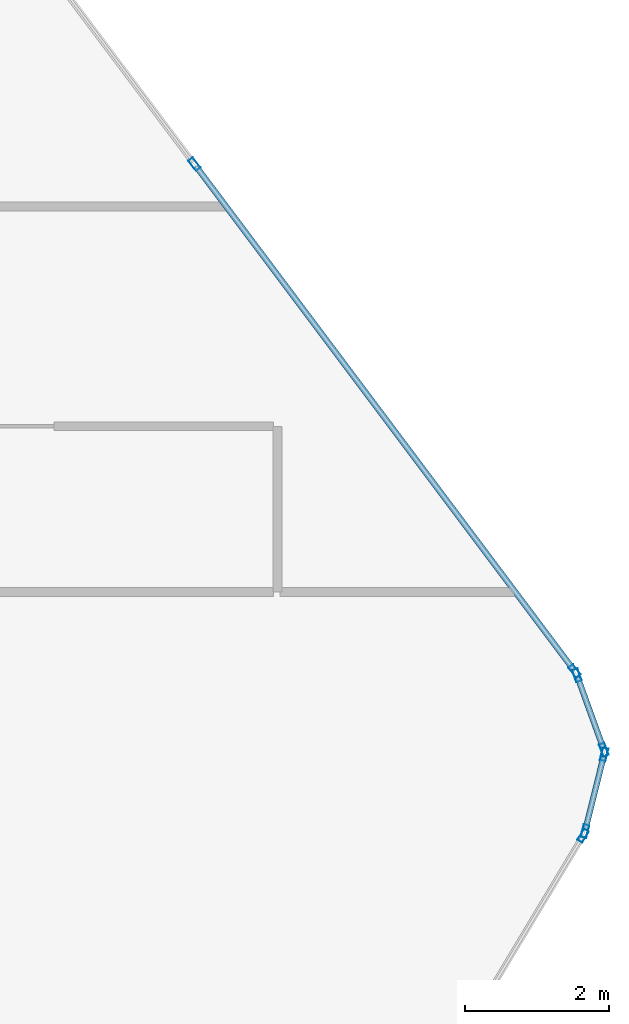
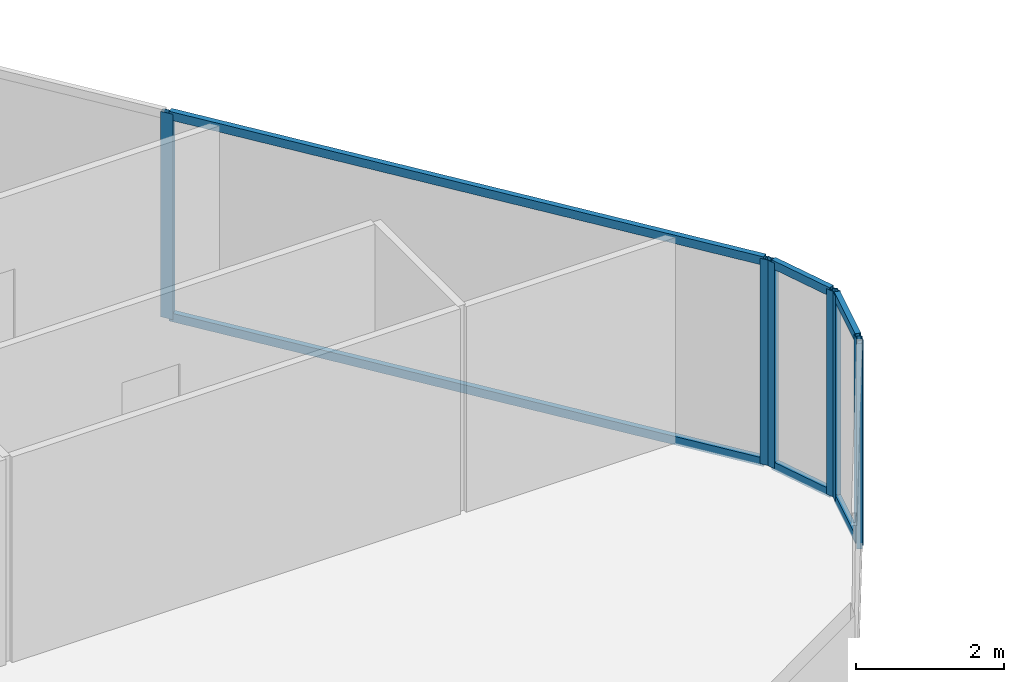
# One storey, part 19 of 31: 13 members, 4 elements without a shape of their own.
"""IFC4 building model written with IfcOpenShell, lengths in metres."""

import ifcopenshell
import ifcopenshell.guid

model = None  # the IFC model being written
_history = None  # IfcOwnerHistory: only IFC2X3 demands one
_inside = {}  # id of a spatial element -> (the spatial element, [elements in it])
_under = {}  # id of a project, library or spatial element -> (it, [spatial elements below it])
_declared = {}  # id of a project -> (the project, [libraries it declares])
_typed = {}  # id of a type object -> (the type object, [elements of that type])
_made_of = {}  # id of a material, layer set ... -> (it, [elements and type objects made of it])


def new_model(schema):
    """Start an empty IFC model of exactly this schema.

    Asked for "IFC4X3", IfcOpenShell would pick the latest addendum, in which some entities
    have other attributes; the version numbers below select the first issue.
    IFC2X3 requires an IfcOwnerHistory on every rooted entity: one is made here for all.
    """
    global model, _history
    if schema == "IFC4X3":
        model = ifcopenshell.file(schema_version=(4, 3, 0, 0))
    else:
        model = ifcopenshell.file(schema=schema)
    _inside.clear()
    _under.clear()
    _declared.clear()
    _typed.clear()
    _made_of.clear()
    _history = None
    if model.schema == "IFC2X3":
        org = make("IfcOrganization", Name="unknown")
        user = make(
            "IfcPersonAndOrganization",
            ThePerson=make("IfcPerson", FamilyName="unknown"),
            TheOrganization=org,
        )
        app = make(
            "IfcApplication",
            ApplicationDeveloper=org,
            Version="unknown",
            ApplicationFullName="unknown",
            ApplicationIdentifier="unknown",
        )
        _history = make(
            "IfcOwnerHistory",
            OwningUser=user,
            OwningApplication=app,
            ChangeAction="ADDED",
            CreationDate=0,
        )
    return model


def make(cls, **values):
    """One entity of the class cls with the attributes given. An attribute that is None is left unset."""
    return model.create_entity(
        cls, **{name: value for name, value in values.items() if value is not None}
    )


def rooted(cls, **values):
    """An entity with a GlobalId (a new one), such as an element, a storey or a relation."""
    return make(cls, GlobalId=ifcopenshell.guid.new(), OwnerHistory=_history, **values)


def si_unit(unit_type, name, prefix=None):
    """IfcSIUnit, for example si_unit("LENGTHUNIT", "METRE", prefix="MILLI")."""
    return make("IfcSIUnit", UnitType=unit_type, Prefix=prefix, Name=name)


def assignment(units):
    """IfcUnitAssignment: the units of a project."""
    return None if units is None else make("IfcUnitAssignment", Units=units)


def point(xyz):
    """IfcCartesianPoint."""
    return None if xyz is None else make("IfcCartesianPoint", Coordinates=xyz)


def direction(xyz):
    """IfcDirection."""
    return None if xyz is None else make("IfcDirection", DirectionRatios=xyz)


def frame(location, z_axis=None, x_axis=None):
    """IfcAxis2Placement3D, a coordinate frame: its origin and axes. An axis left out is left unset."""
    return make(
        "IfcAxis2Placement3D",
        Location=point(location),
        Axis=direction(z_axis),
        RefDirection=direction(x_axis),
    )


def frame_2d(location, x_axis=None):
    """IfcAxis2Placement2D, a coordinate frame in the plane: its origin and x axis."""
    return make(
        "IfcAxis2Placement2D", Location=point(location), RefDirection=direction(x_axis)
    )


def origin():
    """The frame at (0, 0, 0) with its axes left unset."""
    return frame((0.0, 0.0, 0.0))


def origin_2d():
    """The frame at (0, 0) in the plane with its x axis left unset."""
    return frame_2d((0.0, 0.0))


def place(relative_to, where):
    """IfcLocalPlacement: puts the frame where relative to a parent placement (None: the world)."""
    return make(
        "IfcLocalPlacement", PlacementRelTo=relative_to, RelativePlacement=where
    )


def context(
    kind, dimensions, precision=None, world=None, true_north=None, identifier=None
):
    """IfcGeometricRepresentationContext, for example the 3D "Model" context."""
    return make(
        "IfcGeometricRepresentationContext",
        ContextIdentifier=identifier,
        ContextType=kind,
        CoordinateSpaceDimension=dimensions,
        Precision=precision,
        WorldCoordinateSystem=world,
        TrueNorth=true_north,
    )


def subcontext(parent, identifier, kind, view, scale=None):
    """IfcGeometricRepresentationSubContext, for example "Body" below "Model"."""
    return make(
        "IfcGeometricRepresentationSubContext",
        ContextIdentifier=identifier,
        ContextType=kind,
        ParentContext=parent,
        TargetScale=scale,
        TargetView=view,
    )


def project(units=None, contexts=None):
    """IfcProject with its units and contexts."""
    return rooted(
        "IfcProject",
        Name="project",
        RepresentationContexts=contexts,
        UnitsInContext=assignment(units),
    )


def spatial(cls, under=None, at=None, **own):
    """A site, building, storey or space (cls), placed at a placement, below another one or the project."""
    s = rooted(cls, ObjectPlacement=at, **own)
    if under is not None:
        _under.setdefault(under.id(), (under, []))[1].append(s)
    return s


def profile(cls, at=None, kind="AREA", **sizes):
    """A parametric profile (cls). Its sizes go by their IFC names, for example OverallWidth=200.0."""
    return make(cls, ProfileType=kind, Position=at, **sizes)


def hollow_rectangle(**sizes):
    """IfcRectangleHollowProfileDef."""
    return profile("IfcRectangleHollowProfileDef", **sizes)


def extrude(swept, where, along, depth):
    """IfcExtrudedAreaSolid: the profile swept, set in the frame where, extruded along a direction by depth."""
    return make(
        "IfcExtrudedAreaSolid",
        SweptArea=swept,
        Position=where,
        ExtrudedDirection=direction(along),
        Depth=depth,
    )


def shape(context_of_items, identifier, shape_type, items):
    """IfcShapeRepresentation: the items that make up one representation, for example the "Body"."""
    return make(
        "IfcShapeRepresentation",
        ContextOfItems=context_of_items,
        RepresentationIdentifier=identifier,
        RepresentationType=shape_type,
        Items=items,
    )


def material(Name=None, Category=None):
    """IfcMaterial."""
    return make("IfcMaterial", Name=Name, Category=Category)


def layer(
    of_material, thickness, ventilated=None, Name=None, Category=None, Priority=None
):
    """IfcMaterialLayer: one layer of a wall or slab, of a material (None: an air gap)."""
    return make(
        "IfcMaterialLayer",
        Material=of_material,
        LayerThickness=thickness,
        IsVentilated=ventilated,
        Name=Name,
        Category=Category,
        Priority=Priority,
    )


def layer_set(layers, Name=None):
    """IfcMaterialLayerSet."""
    return make("IfcMaterialLayerSet", MaterialLayers=layers, LayerSetName=Name)


def material_profile(
    of_material, cross_section, Name=None, Category=None, Priority=None
):
    """IfcMaterialProfile: a cross section and its material."""
    return make(
        "IfcMaterialProfile",
        Name=Name,
        Material=of_material,
        Profile=cross_section,
        Priority=Priority,
        Category=Category,
    )


def profile_set(profiles, Name=None, composite=None):
    """IfcMaterialProfileSet."""
    return make(
        "IfcMaterialProfileSet",
        Name=Name,
        MaterialProfiles=profiles,
        CompositeProfile=composite,
    )


def made_of(thing, what):
    """Note that an element or type object is made of a material, layer set ...; save() writes the relation."""
    if what is not None:
        _made_of.setdefault(what.id(), (what, []))[1].append(thing)
    return thing


def type_object(cls, material=None, **own):
    """A type object (cls), such as IfcWallType, which elements share."""
    return made_of(rooted(cls, **own), material)


def element(
    cls,
    number,
    at=None,
    inside=None,
    cuts=None,
    type_object=None,
    material=None,
    context=None,
    identifier="Body",
    shape_type=None,
    held_by="IfcProductDefinitionShape",
    body=None,
    shapes=None,
    **own,
):
    """One element of the class cls, such as IfcWall. Its Tag is "e" and its number.

    at: its placement. inside: the storey or other place that contains it. cuts: it is an
    opening in that element (IfcRelVoidsElement). A single representation is given by context,
    identifier, shape_type and body (its items); several are given by shapes. held_by: the class
    of the entity that holds the representations. save() writes the other relations.
    """
    e = rooted(cls, Tag="e%d" % number, ObjectPlacement=at, **own)
    if body is not None:
        shapes = [shape(context, identifier, shape_type, body)]
    if shapes is not None:
        e.Representation = make(held_by, Representations=shapes)
    if inside is not None:
        _inside.setdefault(inside.id(), (inside, []))[1].append(e)
    if cuts is not None:
        rooted(
            "IfcRelVoidsElement", RelatingBuildingElement=cuts, RelatedOpeningElement=e
        )
    if type_object is not None:
        _typed.setdefault(type_object.id(), (type_object, []))[1].append(e)
    return made_of(e, material)


def aggregate(whole, parts):
    """IfcRelAggregates: a whole, such as a stair, and the parts it consists of."""
    return rooted("IfcRelAggregates", RelatingObject=whole, RelatedObjects=parts)


def save(model, path):
    """Write the relations noted so far, then the file.

    IfcRelAggregates (storeys below a building ...), IfcRelContainedInSpatialStructure (elements
    in a storey), IfcRelDefinesByType, IfcRelAssociatesMaterial and IfcRelDeclares: one each for
    every whole, place, type object, material and project.
    """
    for whole, parts in _under.values():
        aggregate(whole, parts)
    for where, things in _inside.values():
        rooted(
            "IfcRelContainedInSpatialStructure",
            RelatedElements=things,
            RelatingStructure=where,
        )
    for kind, things in _typed.values():
        rooted("IfcRelDefinesByType", RelatedObjects=things, RelatingType=kind)
    for what, things in _made_of.values():
        rooted("IfcRelAssociatesMaterial", RelatedObjects=things, RelatingMaterial=what)
    for by, libraries in _declared.values():
        rooted("IfcRelDeclares", RelatingContext=by, RelatedDefinitions=libraries)
    model.write(path)


model = new_model("IFC4")

# Units and contexts
model_context = context("Model", 3, precision=1e-05, world=origin(), true_north=direction((0.0, 1.0)))
body_context = subcontext(model_context, "Body", "Model", "MODEL_VIEW")
ifc_project = project(units=[si_unit("LENGTHUNIT", "METRE"), si_unit("AREAUNIT", "SQUARE_METRE"), si_unit("VOLUMEUNIT", "CUBIC_METRE"), si_unit("PLANEANGLEUNIT", "RADIAN"), si_unit("MASSUNIT", "GRAM", prefix="KILO")], contexts=[model_context])

# Site, building, storey
site_placement = place(None, origin())
site = spatial("IfcSite", under=ifc_project, at=site_placement, CompositionType="ELEMENT")
building_placement = place(site_placement, origin())
building = spatial("IfcBuilding", under=site, at=building_placement, Name="Keshet Zoharim Tower", CompositionType="ELEMENT")
storey_placement = place(building_placement, frame((0.0, 0.0, 129.800048828125)))
storey = spatial("IfcBuildingStorey", under=building, at=storey_placement, Name="L31", CompositionType="ELEMENT", Elevation=129.800048828125)

# Curtain wall, members
ifc_material = material(Name="Aluminium 6063-T6", Category="aluminium")
ifc_layer = layer(ifc_material, 0.159912109375)
ifc_layer_set = layer_set([ifc_layer], Name="Aluminium 6063-T6")
curtain_wall_type = type_object("IfcCurtainWallType", Name="CW-SYS-03", PredefinedType="NOTDEFINED", material=ifc_layer_set)
curtain_wall_1_placement = place(storey_placement, origin())
curtain_wall_1 = element("IfcCurtainWall", 1, at=curtain_wall_1_placement, inside=storey, type_object=curtain_wall_type, Name="L31 Unitised Curtain Wall 15", PredefinedType="NOTDEFINED")
ifc_material_profile_1 = material_profile(ifc_material, hollow_rectangle(XDim=0.080078125, YDim=0.179931640625, WallThickness=0.00439453125, at=origin_2d()), Name="MUL-80x180")
ifc_profile_set_1 = profile_set([ifc_material_profile_1], Name="Aluminium 6063-T6")
member_type_1 = type_object("IfcMemberType", Name="CWM-M18", PredefinedType="MULLION", material=ifc_profile_set_1)
member_1_placement = place(storey_placement, frame((56.896484375, 46.0380859375, 0.0), z_axis=(0.0, 0.0, 1.0), x_axis=(0.799999999998, 0.600000000002, 0.0)))
member_1 = element("IfcMember", 2, at=member_1_placement, type_object=member_type_1, Name="CW-03 mullion 2", PredefinedType="MULLION", context=body_context, shape_type="SweptSolid", body=[
    extrude(hollow_rectangle(XDim=0.080078125, YDim=0.179931640625, WallThickness=0.00439453125, at=origin_2d()), origin(), (0.0, 0.0, 1.0), 3.385009765625),
])
member_2_placement = place(storey_placement, frame((62.172119140625, 39.00390625, 0.0), z_axis=(0.0, 0.0, 1.0), x_axis=(0.799999999998, 0.600000000002, 0.0)))
member_2 = element("IfcMember", 3, at=member_2_placement, type_object=member_type_1, Name="CW-03 mullion 3", PredefinedType="MULLION", context=body_context, shape_type="SweptSolid", body=[
    extrude(hollow_rectangle(XDim=0.080078125, YDim=0.179931640625, WallThickness=0.00439453125, at=origin_2d()), origin(), (0.0, 0.0, 1.0), 3.385009765625),
])

curtain_wall_2_placement = place(storey_placement, origin())
curtain_wall_2 = element("IfcCurtainWall", 4, at=curtain_wall_2_placement, inside=storey, type_object=curtain_wall_type, Name="L31 Unitised Curtain Wall 16", PredefinedType="NOTDEFINED")
member_3_placement = place(storey_placement, frame((62.204833984375, 38.943115234375, 0.0), z_axis=(0.0, 0.0, 1.0), x_axis=(0.940317877544, 0.340297354046, 0.0)))
member_3 = element("IfcMember", 5, at=member_3_placement, type_object=member_type_1, Name="CW-03 mullion 1", PredefinedType="MULLION", context=body_context, shape_type="SweptSolid", body=[
    extrude(hollow_rectangle(XDim=0.080078125, YDim=0.179931640625, WallThickness=0.00439453125, at=origin_2d()), origin(), (0.0, 0.0, 1.0), 3.385009765625),
])
member_4_placement = place(storey_placement, frame((62.578125, 37.911865234375, 0.0), z_axis=(0.0, 0.0, 1.0), x_axis=(0.940317877544, 0.340297354046, 0.0)))
member_4 = element("IfcMember", 6, at=member_4_placement, type_object=member_type_1, Name="CW-03 mullion 2", PredefinedType="MULLION", context=body_context, shape_type="SweptSolid", body=[
    extrude(hollow_rectangle(XDim=0.080078125, YDim=0.179931640625, WallThickness=0.00439453125, at=origin_2d()), origin(), (0.0, 0.0, 1.0), 3.385009765625),
])

curtain_wall_3_placement = place(storey_placement, origin())
curtain_wall_3 = element("IfcCurtainWall", 7, at=curtain_wall_3_placement, inside=storey, type_object=curtain_wall_type, Name="L31 Unitised Curtain Wall 17", PredefinedType="NOTDEFINED")
member_5_placement = place(storey_placement, frame((62.58154296875, 37.844970703125, 0.0), z_axis=(0.0, 0.0, 1.0), x_axis=(0.970343857447, -0.241728770141, 0.0)))
member_5 = element("IfcMember", 8, at=member_5_placement, type_object=member_type_1, Name="CW-03 mullion 1", PredefinedType="MULLION", context=body_context, shape_type="SweptSolid", body=[
    extrude(hollow_rectangle(XDim=0.080078125, YDim=0.179931640625, WallThickness=0.00439453125, at=origin_2d()), origin(), (0.0, 0.0, 1.0), 3.385009765625),
])
member_6_placement = place(storey_placement, frame((62.31640625, 36.781005859375, 0.0), z_axis=(0.0, 0.0, 1.0), x_axis=(0.970343857447, -0.241728770141, 0.0)))
member_6 = element("IfcMember", 9, at=member_6_placement, type_object=member_type_1, Name="CW-03 mullion 2", PredefinedType="MULLION", context=body_context, shape_type="SweptSolid", body=[
    extrude(hollow_rectangle(XDim=0.080078125, YDim=0.179931640625, WallThickness=0.00439453125, at=origin_2d()), origin(), (0.0, 0.0, 1.0), 3.385009765625),
])

# Curtain wall, member
curtain_wall_4_placement = place(storey_placement, origin())
curtain_wall_4 = element("IfcCurtainWall", 10, at=curtain_wall_4_placement, inside=storey, type_object=curtain_wall_type, Name="L31 Unitised Curtain Wall 18", PredefinedType="NOTDEFINED")
member_7_placement = place(storey_placement, frame((62.2900390625, 36.717041015625, 0.0), z_axis=(0.0, 0.0, 1.0), x_axis=(0.857501477862, -0.514481501576, 0.0)))
member_7 = element("IfcMember", 11, at=member_7_placement, type_object=member_type_1, Name="CW-03 mullion 1", PredefinedType="MULLION", context=body_context, shape_type="SweptSolid", body=[
    extrude(hollow_rectangle(XDim=0.080078125, YDim=0.179931640625, WallThickness=0.00439453125, at=origin_2d()), origin(), (0.0, 0.0, 1.0), 3.385009765625),
])
aggregate(curtain_wall_4, [member_7])

# Member
ifc_material_profile_2 = material_profile(ifc_material, hollow_rectangle(XDim=0.080078125, YDim=0.139892578125, WallThickness=0.00390625, at=origin_2d()), Name="TRN-80x140")
ifc_profile_set_2 = profile_set([ifc_material_profile_2], Name="Aluminium 6063-T6")
member_type_2 = type_object("IfcMemberType", Name="CWT-T14", PredefinedType="USERDEFINED", material=ifc_profile_set_2)
member_8_placement = place(storey_placement, frame((56.91748046875, 46.010009765625, 0.034912109375), z_axis=(0.599991043201, -0.800006717521, 0.0), x_axis=(0.800006717521, 0.599991043201, 0.0)))
member_8 = element("IfcMember", 12, at=member_8_placement, type_object=member_type_2, Name="CW-03 transom 2.1", ObjectType="TRANSOM", PredefinedType="USERDEFINED", context=body_context, shape_type="SweptSolid", body=[
    extrude(hollow_rectangle(XDim=0.080078125, YDim=0.139892578125, WallThickness=0.00390625, at=origin_2d()), origin(), (0.0, 0.0, 1.0), 8.722412109375),
])

member_9_placement = place(storey_placement, frame((56.91748046875, 46.010009765625, 3.349853515625), z_axis=(0.599991043201, -0.800006717521, 0.0), x_axis=(0.800006717521, 0.599991043201, 0.0)))
member_9 = element("IfcMember", 13, at=member_9_placement, type_object=member_type_2, Name="CW-03 transom 2.2", ObjectType="TRANSOM", PredefinedType="USERDEFINED", context=body_context, shape_type="SweptSolid", body=[
    extrude(hollow_rectangle(XDim=0.080078125, YDim=0.139892578125, WallThickness=0.00390625, at=origin_2d()), origin(), (0.0, 0.0, 1.0), 8.722412109375),
])

aggregate(curtain_wall_1, [member_1, member_2, member_8, member_9])

member_10_placement = place(storey_placement, frame((62.216796875, 38.91015625, 0.034912109375), z_axis=(0.340310579984, -0.940313091024, 0.0), x_axis=(0.940313091024, 0.340310579984, 0.0)))
member_10 = element("IfcMember", 14, at=member_10_placement, type_object=member_type_2, Name="CW-03 transom 1.1", ObjectType="TRANSOM", PredefinedType="USERDEFINED", context=body_context, shape_type="SweptSolid", body=[
    extrude(hollow_rectangle(XDim=0.080078125, YDim=0.139892578125, WallThickness=0.00390625, at=origin_2d()), origin(), (0.0, 0.0, 1.0), 1.026611328125),
])

member_11_placement = place(storey_placement, frame((62.216796875, 38.91015625, 3.349853515625), z_axis=(0.340310579984, -0.940313091024, 0.0), x_axis=(0.940313091024, 0.340310579984, 0.0)))
member_11 = element("IfcMember", 15, at=member_11_placement, type_object=member_type_2, Name="CW-03 transom 1.2", ObjectType="TRANSOM", PredefinedType="USERDEFINED", context=body_context, shape_type="SweptSolid", body=[
    extrude(hollow_rectangle(XDim=0.080078125, YDim=0.139892578125, WallThickness=0.00390625, at=origin_2d()), origin(), (0.0, 0.0, 1.0), 1.026611328125),
])

aggregate(curtain_wall_2, [member_3, member_4, member_10, member_11])

member_12_placement = place(storey_placement, frame((62.572998046875, 37.81103515625, 0.034912109375), z_axis=(-0.241640143717, -0.970365931463, 0.0), x_axis=(0.970365931463, -0.241640143717, 0.0)))
member_12 = element("IfcMember", 16, at=member_12_placement, type_object=member_type_2, Name="CW-03 transom 1.1", ObjectType="TRANSOM", PredefinedType="USERDEFINED", context=body_context, shape_type="SweptSolid", body=[
    extrude(hollow_rectangle(XDim=0.080078125, YDim=0.139892578125, WallThickness=0.00390625, at=origin_2d()), origin(), (0.0, 0.0, 1.0), 1.026611328125),
])

member_13_placement = place(storey_placement, frame((62.572998046875, 37.81103515625, 3.349853515625), z_axis=(-0.241640143717, -0.970365931463, 0.0), x_axis=(0.970365931463, -0.241640143717, 0.0)))
member_13 = element("IfcMember", 17, at=member_13_placement, type_object=member_type_2, Name="CW-03 transom 1.2", ObjectType="TRANSOM", PredefinedType="USERDEFINED", context=body_context, shape_type="SweptSolid", body=[
    extrude(hollow_rectangle(XDim=0.080078125, YDim=0.139892578125, WallThickness=0.00390625, at=origin_2d()), origin(), (0.0, 0.0, 1.0), 1.026611328125),
])

aggregate(curtain_wall_3, [member_5, member_6, member_12, member_13])

save(model, "model.ifc")
